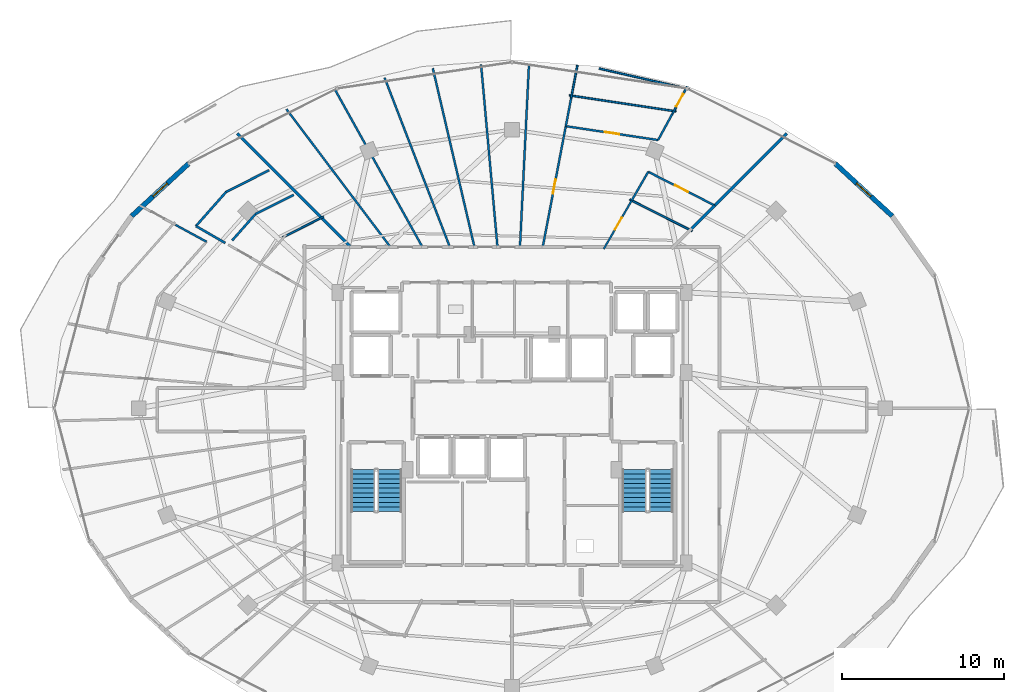
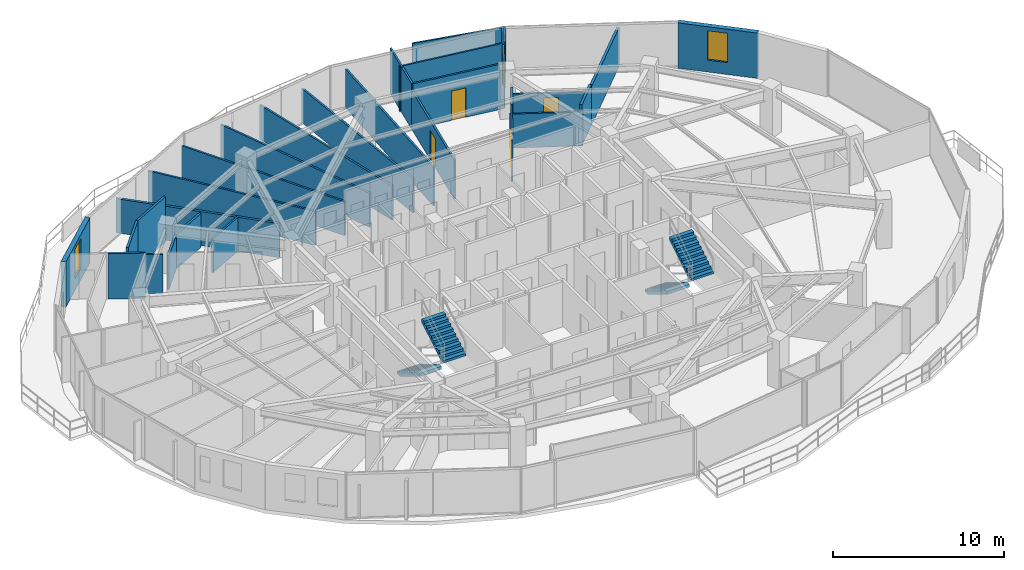
# One storey, part 29 of 33: 30 walls, 5 doors, 4 stair flights, 2 windows, 7 openings, 2 elements without a shape of their own.
"""IFC4 building model written with IfcOpenShell, lengths in metres."""

from ifc_helpers import new_model, si_unit, direction, frame, frame_2d, origin, place, context, subcontext, project, spatial, polyline, rectangle, outline, extrude, material, layer, layer_set, type_object, element, fill, aggregate, save


model = new_model("IFC4")

# Units and contexts
model_context = context("Model", 3, precision=1e-05, world=origin(), true_north=direction((0.0, 1.0)))
body_context = subcontext(model_context, "Body", "Model", "MODEL_VIEW")
ifc_project = project(units=[si_unit("LENGTHUNIT", "METRE"), si_unit("AREAUNIT", "SQUARE_METRE"), si_unit("VOLUMEUNIT", "CUBIC_METRE"), si_unit("PLANEANGLEUNIT", "RADIAN"), si_unit("MASSUNIT", "GRAM", prefix="KILO")], contexts=[model_context])

# Site, building, storey
site_placement = place(None, origin())
site = spatial("IfcSite", under=ifc_project, at=site_placement, CompositionType="ELEMENT")
building_placement = place(site_placement, origin())
building = spatial("IfcBuilding", under=site, at=building_placement, Name="Vorneva Point Tower", CompositionType="ELEMENT")
storey_placement = place(building_placement, frame((0.0, 0.0, 189.60009765625)))
storey = spatial("IfcBuildingStorey", under=building, at=storey_placement, Name="L51", CompositionType="ELEMENT", Elevation=189.60009765625)

# Wall, opening, window
ifc_material_1 = material(Name="Precast concrete B50 (C40/50)", Category="concrete")
ifc_layer_1 = layer(ifc_material_1, 0.300048828125)
ifc_layer_set_1 = layer_set([ifc_layer_1], Name="Precast concrete B50 (C40/50)")
wall_type_1 = type_object("IfcWallType", Name="WL-EXT-300", PredefinedType="STANDARD", material=ifc_layer_set_1)
wall_1_placement = place(storey_placement, frame((61.472412109375, 37.861328125, 0.0), z_axis=(0.0, 0.0, 1.0), x_axis=(-0.735359993374, 0.677676678177, 0.0)))
wall_1 = element("IfcWall", 1, at=wall_1_placement, inside=storey, type_object=wall_type_1, Name="L51 Pale-Metal Facade Spandrel Wall 02.2", PredefinedType="STANDARD", context=body_context, shape_type="SweptSolid", body=[
    extrude(rectangle(XDim=4.774169921875, YDim=0.300048828125, at=frame_2d((2.38720703125, 0.0))), origin(), (0.0, 0.0, 1.0), 3.239990234375),
])
opening_1_placement = place(wall_1_placement, frame((1.787109375, 0.0, 0.85009765625)))
opening_1 = element("IfcOpeningElement", 2, at=opening_1_placement, cuts=wall_1, Name="Opening W-04", PredefinedType="OPENING", context=body_context, shape_type="SweptSolid", body=[
    extrude(rectangle(XDim=1.199951171875, YDim=2.10009765625, at=frame_2d((0.60009765625, 1.050048828125))), frame((0.0, 0.1650390625, 0.0), z_axis=(0.0, -1.0, 0.0), x_axis=(1.0, 0.0, 0.0)), (0.0, 0.0, 1.0), 0.329833984375),
])
ifc_material_2 = material(Name="Double low-e laminated glass IGU", Category="glass")
window_type = type_object("IfcWindowType", Name="WN-RES-1200", PartitioningType="SINGLE_PANEL", PredefinedType="WINDOW", material=ifc_material_2)
window_1_placement = place(opening_1_placement, origin())
window_1 = element("IfcWindow", 3, at=window_1_placement, inside=storey, type_object=window_type, Name="L51 Facade Window 02", OverallHeight=2.10009765625, OverallWidth=1.199951171875, PartitioningType="SINGLE_PANEL", PredefinedType="WINDOW", context=body_context, shape_type="SweptSolid", body=[
    extrude(rectangle(XDim=1.199951171875, YDim=2.10009765625, at=frame_2d((0.60009765625, 1.050048828125))), frame((0.0, 0.030029296875, 0.0), z_axis=(0.0, -1.0, 0.0), x_axis=(1.0, 0.0, 0.0)), (0.0, 0.0, 1.0), 0.06005859375),
])
fill(opening_1, window_1)

wall_2_placement = place(storey_placement, frame((18.038330078125, 41.0966796875, 0.0), z_axis=(0.0, 0.0, 1.0), x_axis=(-0.735359993374, -0.677676678177, 0.0)))
wall_2 = element("IfcWall", 4, at=wall_2_placement, inside=storey, type_object=wall_type_1, Name="L51 Pale-Metal Facade Spandrel Wall 07.1", PredefinedType="STANDARD", context=body_context, shape_type="SweptSolid", body=[
    extrude(rectangle(XDim=4.774169921875, YDim=0.300048828125, at=frame_2d((2.38720703125, 0.0))), origin(), (0.0, 0.0, 1.0), 3.239990234375),
])
opening_2_placement = place(wall_2_placement, frame((1.787109375, 0.0, 0.85009765625)))
opening_2 = element("IfcOpeningElement", 5, at=opening_2_placement, cuts=wall_2, Name="Opening W-04", PredefinedType="OPENING", context=body_context, shape_type="SweptSolid", body=[
    extrude(rectangle(XDim=1.199951171875, YDim=2.10009765625, at=frame_2d((0.60009765625, 1.050048828125))), frame((0.0, 0.1650390625, 0.0), z_axis=(0.0, -1.0, 0.0), x_axis=(1.0, 0.0, 0.0)), (0.0, 0.0, 1.0), 0.329833984375),
])
window_2_placement = place(opening_2_placement, origin())
window_2 = element("IfcWindow", 6, at=window_2_placement, inside=storey, type_object=window_type, Name="L51 Facade Window 07", OverallHeight=2.10009765625, OverallWidth=1.199951171875, PartitioningType="SINGLE_PANEL", PredefinedType="WINDOW", context=body_context, shape_type="SweptSolid", body=[
    extrude(rectangle(XDim=1.199951171875, YDim=2.10009765625, at=frame_2d((0.60009765625, 1.050048828125))), frame((0.0, 0.030029296875, 0.0), z_axis=(0.0, -1.0, 0.0), x_axis=(1.0, 0.0, 0.0)), (0.0, 0.0, 1.0), 0.06005859375),
])
fill(opening_2, window_2)

# Wall, opening, door
ifc_material_3 = material(Name="Fire-rated acoustic gypsum stud partition", Category="gypsum")
ifc_layer_2 = layer(ifc_material_3, 0.110107421875)
ifc_layer_set_2 = layer_set([ifc_layer_2], Name="Fire-rated acoustic gypsum stud partition")
wall_type_2 = type_object("IfcWallType", Name="WL-PART-110", PredefinedType="PARTITIONING", material=ifc_layer_set_2)
wall_3_placement = place(storey_placement, frame((43.6640625, 35.82861328125, 0.0), z_axis=(0.0, 0.0, 1.0), x_axis=(0.49917767271, 0.866499654396, 0.0)))
wall_3 = element("IfcWall", 7, at=wall_3_placement, inside=storey, type_object=wall_type_2, Name="L51 Interior Partition 074", PredefinedType="PARTITIONING", context=body_context, shape_type="SweptSolid", body=[
    extrude(rectangle(XDim=3.595703125, YDim=0.110107421875, at=frame_2d((1.7978515625, 0.0))), origin(), (0.0, 0.0, 1.0), 2.971923828125),
])
opening_3_placement = place(wall_3_placement, frame((1.372802734375, 0.0, 0.0)))
opening_3 = element("IfcOpeningElement", 8, at=opening_3_placement, cuts=wall_3, Name="Opening ID-02", PredefinedType="OPENING", context=body_context, shape_type="SweptSolid", body=[
    extrude(rectangle(XDim=0.85009765625, YDim=2.10009765625, at=frame_2d((0.425048828125, 1.050048828125))), frame((0.0, 0.06982421875, 0.0), z_axis=(0.0, -1.0, 0.0), x_axis=(1.0, 0.0, 0.0)), (0.0, 0.0, 1.0), 0.139892578125),
])
ifc_material_4 = material(Name="Engineered oak fire-rated door leaf", Category="wood")
door_type_1 = type_object("IfcDoorType", Name="DR-BATH-850", OperationType="NOTDEFINED", PredefinedType="DOOR", material=ifc_material_4)
door_1_placement = place(opening_3_placement, origin())
door_1 = element("IfcDoor", 9, at=door_1_placement, inside=storey, type_object=door_type_1, Name="L51 Door Living and Dining Room L51-01 / Bathroom L51-01", OperationType="SINGLE_SWING_LEFT", OverallHeight=2.10009765625, OverallWidth=0.85009765625, PredefinedType="DOOR", context=body_context, shape_type="SweptSolid", body=[
    extrude(rectangle(XDim=0.85009765625, YDim=2.10009765625, at=frame_2d((0.425048828125, 1.050048828125))), frame((0.0, 0.02490234375, 0.0), z_axis=(0.0, -1.0, 0.0), x_axis=(1.0, 0.0, 0.0)), (0.0, 0.0, 1.0), 0.050048828125),
])
fill(opening_3, door_1)

# Wall
wall_4_placement = place(storey_placement, frame((48.947509765625, 45.689697265625, 0.0), z_axis=(0.0, 0.0, 1.0), x_axis=(-0.974613198555, 0.223895317508, 0.0)))
element("IfcWall", 10, at=wall_4_placement, inside=storey, type_object=wall_type_2, Name="L51 Interior Partition 075", PredefinedType="PARTITIONING", context=body_context, shape_type="SweptSolid", body=[
    extrude(rectangle(XDim=5.71484375, YDim=0.110107421875, at=frame_2d((2.857421875, 0.0))), origin(), (0.0, 0.0, 1.0), 3.239990234375),
])

# Wall, opening, door
wall_5_placement = place(storey_placement, frame((48.819091796875, 45.85693359375, 0.0), z_axis=(0.0, 0.0, 1.0), x_axis=(-0.478311376557, -0.878190313689, 0.0)))
wall_5 = element("IfcWall", 11, at=wall_5_placement, inside=storey, type_object=wall_type_2, Name="L51 Interior Partition 076", PredefinedType="PARTITIONING", context=body_context, shape_type="SweptSolid", body=[
    extrude(rectangle(XDim=1.929931640625, YDim=0.110107421875, at=frame_2d((0.96484375, 0.0))), origin(), (0.0, 0.0, 1.0), 3.239990234375),
])
opening_4_placement = place(wall_5_placement, frame((0.514892578125, 0.0, 0.0)))
opening_4 = element("IfcOpeningElement", 12, at=opening_4_placement, cuts=wall_5, Name="Opening ID-01", PredefinedType="OPENING", context=body_context, shape_type="SweptSolid", body=[
    extrude(rectangle(XDim=0.89990234375, YDim=2.10009765625, at=frame_2d((0.449951171875, 1.050048828125))), frame((0.0, 0.06982421875, 0.0), z_axis=(0.0, -1.0, 0.0), x_axis=(1.0, 0.0, 0.0)), (0.0, 0.0, 1.0), 0.139892578125),
])
door_type_2 = type_object("IfcDoorType", Name="DR-ROOM-900", OperationType="NOTDEFINED", PredefinedType="DOOR", material=ifc_material_4)
door_2_placement = place(opening_4_placement, origin())
door_2 = element("IfcDoor", 13, at=door_2_placement, inside=storey, type_object=door_type_2, Name="L51 Door Living and Dining Room L51-01 / Kitchen L51-01", OperationType="SINGLE_SWING_LEFT", OverallHeight=2.10009765625, OverallWidth=0.89990234375, PredefinedType="DOOR", context=body_context, shape_type="SweptSolid", body=[
    extrude(rectangle(XDim=0.89990234375, YDim=2.10009765625, at=frame_2d((0.449951171875, 1.050048828125))), frame((0.0, 0.02490234375, 0.0), z_axis=(0.0, -1.0, 0.0), x_axis=(1.0, 0.0, 0.0)), (0.0, 0.0, 1.0), 0.050048828125),
])
fill(opening_4, door_2)

# Walls
wall_6_placement = place(storey_placement, frame((45.263916015625, 38.885986328125, 0.0), z_axis=(0.0, 0.0, 1.0), x_axis=(0.892556527512, -0.450935522216, 0.0)))
element("IfcWall", 14, at=wall_6_placement, inside=storey, type_object=wall_type_2, Name="L51 Interior Partition 082", PredefinedType="PARTITIONING", context=body_context, shape_type="SweptSolid", body=[
    extrude(rectangle(XDim=4.32470703125, YDim=0.110107421875, at=frame_2d((2.162353515625, 0.0))), origin(), (0.0, 0.0, 1.0), 2.431884765625),
])
wall_7_placement = place(storey_placement, frame((41.54052734375, 45.311767578125, 0.0), z_axis=(0.0, 0.0, 1.0), x_axis=(0.988873931206, -0.148756002172, 0.0)))
element("IfcWall", 15, at=wall_7_placement, inside=storey, type_object=wall_type_2, Name="L51 Interior Partition 085", PredefinedType="PARTITIONING", context=body_context, shape_type="SweptSolid", body=[
    extrude(rectangle(XDim=6.6650390625, YDim=0.110107421875, at=frame_2d((3.33251953125, 0.0))), origin(), (0.0, 0.0, 1.0), 3.239990234375),
])
wall_8_placement = place(storey_placement, frame((42.041259765625, 47.1875, 0.0), z_axis=(0.0, 0.0, 1.0), x_axis=(-0.187605166264, -0.982244522301, 0.0)))
element("IfcWall", 16, at=wall_8_placement, inside=storey, type_object=wall_type_2, Name="L51 Interior Partition 086", PredefinedType="PARTITIONING", context=body_context, shape_type="SweptSolid", body=[
    extrude(rectangle(XDim=2.070556640625, YDim=0.110107421875, at=frame_2d((1.03515625, 0.0))), origin(), (0.0, 0.0, 1.0), 3.239990234375),
])
wall_9_placement = place(storey_placement, frame((23.845947265625, 36.5458984375, 0.0), z_axis=(0.0, 0.0, 1.0), x_axis=(0.892553076465, 0.450942352959, 0.0)))
element("IfcWall", 17, at=wall_9_placement, inside=storey, type_object=wall_type_2, Name="L51 Interior Partition 104", PredefinedType="PARTITIONING", context=body_context, shape_type="SweptSolid", body=[
    extrude(rectangle(XDim=2.82568359375, YDim=0.110107421875, at=frame_2d((1.412841796875, 0.0))), origin(), (0.0, 0.0, 1.0), 2.431884765625),
])

# Wall, opening, door
ifc_layer_3 = layer(ifc_material_3, 0.125)
ifc_layer_set_3 = layer_set([ifc_layer_3], Name="Fire-rated acoustic gypsum stud partition")
wall_type_3 = type_object("IfcWallType", Name="WL-PART-125", PredefinedType="PARTITIONING", material=ifc_layer_set_3)
wall_10_placement = place(storey_placement, frame((46.407958984375, 40.592041015625, 0.0), z_axis=(0.0, 0.0, 1.0), x_axis=(0.89252026196, -0.451007297049, 0.0)))
wall_10 = element("IfcWall", 18, at=wall_10_placement, inside=storey, type_object=wall_type_3, Name="L51 Interior Partition 072", PredefinedType="PARTITIONING", context=body_context, shape_type="SweptSolid", body=[
    extrude(rectangle(XDim=4.602783203125, YDim=0.125, at=frame_2d((2.30126953125, 0.0))), origin(), (0.0, 0.0, 1.0), 2.431884765625),
])
opening_5_placement = place(wall_10_placement, frame((1.851318359375, 0.0, 0.0)))
opening_5 = element("IfcOpeningElement", 19, at=opening_5_placement, cuts=wall_10, Name="Opening ID-01", PredefinedType="OPENING", context=body_context, shape_type="SweptSolid", body=[
    extrude(rectangle(XDim=0.89990234375, YDim=2.10009765625, at=frame_2d((0.449951171875, 1.050048828125))), frame((0.0, 0.077392578125, 0.0), z_axis=(0.0, -1.0, 0.0), x_axis=(1.0, 0.0, 0.0)), (0.0, 0.0, 1.0), 0.15478515625),
])
door_3_placement = place(opening_5_placement, origin())
door_3 = element("IfcDoor", 20, at=door_3_placement, inside=storey, type_object=door_type_2, Name="L51 Door Living and Dining Room L51-01 / Family Dining Room L51-01", OperationType="SINGLE_SWING_RIGHT", OverallHeight=2.10009765625, OverallWidth=0.89990234375, PredefinedType="DOOR", context=body_context, shape_type="SweptSolid", body=[
    extrude(rectangle(XDim=0.89990234375, YDim=2.10009765625, at=frame_2d((0.449951171875, 1.050048828125))), frame((0.0, 0.02490234375, 0.0), z_axis=(0.0, -1.0, 0.0), x_axis=(1.0, 0.0, 0.0)), (0.0, 0.0, 1.0), 0.050048828125),
])
fill(opening_5, door_3)

# Walls
wall_11_placement = place(storey_placement, frame((45.388916015625, 38.822998046875, 0.0), z_axis=(0.0, 0.0, 1.0), x_axis=(0.499149502221, 0.866515882389, 0.0)))
element("IfcWall", 21, at=wall_11_placement, inside=storey, type_object=wall_type_3, Name="L51 Interior Partition 073", PredefinedType="PARTITIONING", context=body_context, shape_type="SweptSolid", body=[
    extrude(rectangle(XDim=2.04150390625, YDim=0.125, at=frame_2d((1.020751953125, 0.0))), origin(), (0.0, 0.0, 1.0), 2.921875),
])
wall_12_placement = place(storey_placement, frame((47.895751953125, 44.162109375, 0.0), z_axis=(0.0, 0.0, 1.0), x_axis=(-0.47839521225, -0.87814464691, 0.0)))
element("IfcWall", 22, at=wall_12_placement, inside=storey, type_object=wall_type_3, Name="L51 Interior Partition 077", PredefinedType="PARTITIONING", context=body_context, shape_type="SweptSolid", body=[
    extrude(rectangle(XDim=1.834716796875, YDim=0.125, at=frame_2d((0.91748046875, 0.0))), origin(), (0.0, 0.0, 1.0), 3.239990234375),
])

# Wall, opening, door
wall_13_placement = place(storey_placement, frame((47.01806640625, 42.551025390625, 0.0), z_axis=(0.0, 0.0, 1.0), x_axis=(-0.98887565722, 0.148744527827, 0.0)))
wall_13 = element("IfcWall", 23, at=wall_13_placement, inside=storey, type_object=wall_type_3, Name="L51 Interior Partition 078", PredefinedType="PARTITIONING", context=body_context, shape_type="SweptSolid", body=[
    extrude(rectangle(XDim=5.76123046875, YDim=0.125, at=frame_2d((2.880615234375, 0.0))), origin(), (0.0, 0.0, 1.0), 3.239990234375),
])
opening_6_placement = place(wall_13_placement, frame((2.430419921875, 0.0, 0.0)))
opening_6 = element("IfcOpeningElement", 24, at=opening_6_placement, cuts=wall_13, Name="Opening ID-01", PredefinedType="OPENING", context=body_context, shape_type="SweptSolid", body=[
    extrude(rectangle(XDim=0.89990234375, YDim=2.10009765625, at=frame_2d((0.449951171875, 1.050048828125))), frame((0.0, 0.077392578125, 0.0), z_axis=(0.0, -1.0, 0.0), x_axis=(1.0, 0.0, 0.0)), (0.0, 0.0, 1.0), 0.15478515625),
])
door_4_placement = place(opening_6_placement, origin())
door_4 = element("IfcDoor", 25, at=door_4_placement, inside=storey, type_object=door_type_2, Name="L51 Door Living and Dining Room L51-01 / Study Room L51-01", OperationType="SINGLE_SWING_RIGHT", OverallHeight=2.10009765625, OverallWidth=0.89990234375, PredefinedType="DOOR", context=body_context, shape_type="SweptSolid", body=[
    extrude(rectangle(XDim=0.89990234375, YDim=2.10009765625, at=frame_2d((0.449951171875, 1.050048828125))), frame((0.0, 0.02490234375, 0.0), z_axis=(0.0, -1.0, 0.0), x_axis=(1.0, 0.0, 0.0)), (0.0, 0.0, 1.0), 0.050048828125),
])
fill(opening_6, door_4)

# Wall
wall_14_placement = place(storey_placement, frame((41.321044921875, 43.407958984375, 0.0), z_axis=(0.0, 0.0, 1.0), x_axis=(0.187217449549, 0.982318495491, 0.0)))
element("IfcWall", 26, at=wall_14_placement, inside=storey, type_object=wall_type_3, Name="L51 Interior Partition 079", PredefinedType="PARTITIONING", context=body_context, shape_type="SweptSolid", body=[
    extrude(rectangle(XDim=1.9169921875, YDim=0.125, at=frame_2d((0.95849609375, 0.0))), origin(), (0.0, 0.0, 1.0), 3.239990234375),
])

# Wall, opening, door
wall_15_placement = place(storey_placement, frame((41.32080078125, 43.407958984375, 0.0), z_axis=(0.0, 0.0, 1.0), x_axis=(-0.187401709503, -0.982283359971, 0.0)))
wall_15 = element("IfcWall", 27, at=wall_15_placement, inside=storey, type_object=wall_type_3, Name="L51 Interior Partition 080", PredefinedType="PARTITIONING", context=body_context, shape_type="SweptSolid", body=[
    extrude(rectangle(XDim=7.592529296875, YDim=0.125, at=frame_2d((3.79638671875, 0.0))), origin(), (0.0, 0.0, 1.0), 2.77392578125),
])
opening_7_placement = place(wall_15_placement, frame((3.34619140625, 0.0, 0.0)))
opening_7 = element("IfcOpeningElement", 28, at=opening_7_placement, cuts=wall_15, Name="Opening ID-01", PredefinedType="OPENING", context=body_context, shape_type="SweptSolid", body=[
    extrude(rectangle(XDim=0.89990234375, YDim=2.10009765625, at=frame_2d((0.449951171875, 1.050048828125))), frame((0.0, 0.077392578125, 0.0), z_axis=(0.0, -1.0, 0.0), x_axis=(1.0, 0.0, 0.0)), (0.0, 0.0, 1.0), 0.15478515625),
])
door_5_placement = place(opening_7_placement, origin())
door_5 = element("IfcDoor", 29, at=door_5_placement, inside=storey, type_object=door_type_2, Name="L51 Door Living and Dining Room L51-01 / Master Bedroom L51-01.1", OperationType="SINGLE_SWING_LEFT", OverallHeight=2.10009765625, OverallWidth=0.89990234375, PredefinedType="DOOR", context=body_context, shape_type="SweptSolid", body=[
    extrude(rectangle(XDim=0.89990234375, YDim=2.10009765625, at=frame_2d((0.449951171875, 1.050048828125))), frame((0.0, 0.02490234375, 0.0), z_axis=(0.0, -1.0, 0.0), x_axis=(1.0, 0.0, 0.0)), (0.0, 0.0, 1.0), 0.050048828125),
])
fill(opening_7, door_5)

# Walls
wall_16_placement = place(storey_placement, frame((39.051025390625, 47.27099609375, 0.0), z_axis=(0.0, 0.0, 1.0), x_axis=(-0.049324203907, -0.998782820692, 0.0)))
element("IfcWall", 30, at=wall_16_placement, inside=storey, type_object=wall_type_3, Name="L51 Interior Partition 087", PredefinedType="PARTITIONING", context=body_context, shape_type="SweptSolid", body=[
    extrude(rectangle(XDim=11.3349609375, YDim=0.125, at=frame_2d((5.66748046875, 0.0))), origin(), (0.0, 0.0, 1.0), 2.77392578125),
])
wall_17_placement = place(storey_placement, frame((36.091064453125, 47.20703125, 0.0), z_axis=(0.0, 0.0, 1.0), x_axis=(0.089620343685, -0.995976000714, 0.0)))
element("IfcWall", 31, at=wall_17_placement, inside=storey, type_object=wall_type_3, Name="L51 Interior Partition 088", PredefinedType="PARTITIONING", context=body_context, shape_type="SweptSolid", body=[
    extrude(rectangle(XDim=11.302490234375, YDim=0.125, at=frame_2d((5.6513671875, 0.0))), origin(), (0.0, 0.0, 1.0), 2.431884765625),
])
wall_18_placement = place(storey_placement, frame((33.111083984375, 46.985107421875, 0.0), z_axis=(0.0, 0.0, 1.0), x_axis=(0.226889028745, -0.973920617214, 0.0)))
element("IfcWall", 32, at=wall_18_placement, inside=storey, type_object=wall_type_3, Name="L51 Interior Partition 089", PredefinedType="PARTITIONING", context=body_context, shape_type="SweptSolid", body=[
    extrude(rectangle(XDim=11.33056640625, YDim=0.125, at=frame_2d((5.665283203125, 0.0))), origin(), (0.0, 0.0, 1.0), 2.431884765625),
])
wall_19_placement = place(storey_placement, frame((30.135009765625, 46.39794921875, 0.0), z_axis=(0.0, 0.0, 1.0), x_axis=(0.359727007777, -0.933057597298, 0.0)))
element("IfcWall", 33, at=wall_19_placement, inside=storey, type_object=wall_type_3, Name="L51 Interior Partition 090", PredefinedType="PARTITIONING", context=body_context, shape_type="SweptSolid", body=[
    extrude(rectangle(XDim=11.197509765625, YDim=0.125, at=frame_2d((5.5986328125, 0.0))), origin(), (0.0, 0.0, 1.0), 2.431884765625),
])
wall_20_placement = place(storey_placement, frame((27.069091796875, 45.673095703125, 0.0), z_axis=(0.0, 0.0, 1.0), x_axis=(0.485717471054, -0.874115860921, 0.0)))
element("IfcWall", 34, at=wall_20_placement, inside=storey, type_object=wall_type_3, Name="L51 Interior Partition 091", PredefinedType="PARTITIONING", context=body_context, shape_type="SweptSolid", body=[
    extrude(rectangle(XDim=11.123291015625, YDim=0.125, at=frame_2d((5.5615234375, 0.0))), origin(), (0.0, 0.0, 1.0), 2.431884765625),
])
wall_21_placement = place(storey_placement, frame((24.074951171875, 44.4599609375, 0.0), z_axis=(0.0, 0.0, 1.0), x_axis=(0.602185523072, -0.798356183544, 0.0)))
element("IfcWall", 35, at=wall_21_placement, inside=storey, type_object=wall_type_3, Name="L51 Interior Partition 092", PredefinedType="PARTITIONING", context=body_context, shape_type="SweptSolid", body=[
    extrude(rectangle(XDim=10.659423828125, YDim=0.125, at=frame_2d((5.32958984375, 0.0))), origin(), (0.0, 0.0, 1.0), 2.431884765625),
])
wall_22_placement = place(storey_placement, frame((17.22900390625, 37.31689453125, 0.0), z_axis=(0.0, 0.0, 1.0), x_axis=(0.878117834212, -0.47844442649, 0.0)))
element("IfcWall", 36, at=wall_22_placement, inside=storey, type_object=wall_type_3, Name="L51 Interior Partition 098", PredefinedType="PARTITIONING", context=body_context, shape_type="SweptSolid", body=[
    extrude(rectangle(XDim=2.181884765625, YDim=0.125, at=frame_2d((1.0908203125, 0.0))), origin(), (0.0, 0.0, 1.0), 3.239990234375),
])
ifc_layer_4 = layer(ifc_material_3, 0.139892578125)
ifc_layer_set_4 = layer_set([ifc_layer_4], Name="Fire-rated acoustic gypsum stud partition")
wall_type_4 = type_object("IfcWallType", Name="WL-PART-140", PredefinedType="PARTITIONING", material=ifc_layer_set_4)
wall_23_placement = place(storey_placement, frame((18.489990234375, 37.241943359375, 0.0), z_axis=(0.0, 0.0, 1.0), x_axis=(0.662371376331, 0.749175653513, 0.0)))
element("IfcWall", 37, at=wall_23_placement, inside=storey, type_object=wall_type_4, Name="L51 Interior Closure Partition 154", PredefinedType="PARTITIONING", context=body_context, shape_type="SweptSolid", body=[
    extrude(rectangle(XDim=2.809814453125, YDim=0.139892578125, at=frame_2d((1.40478515625, 0.0))), origin(), (0.0, 0.0, 1.0), 3.239990234375),
])
wall_24_placement = place(storey_placement, frame((20.35107421875, 39.346923828125, 0.0), z_axis=(0.0, 0.0, 1.0), x_axis=(0.89244587056, 0.451154483653, 0.0)))
element("IfcWall", 38, at=wall_24_placement, inside=storey, type_object=wall_type_4, Name="L51 Interior Closure Partition 155", PredefinedType="PARTITIONING", context=body_context, shape_type="SweptSolid", body=[
    extrude(rectangle(XDim=2.970458984375, YDim=0.139892578125, at=frame_2d((1.4853515625, 0.0))), origin(), (0.0, 0.0, 1.0), 3.239990234375),
])
wall_25_placement = place(storey_placement, frame((20.300048828125, 36.198974609375, 0.0), z_axis=(0.0, 0.0, 1.0), x_axis=(-0.86645395742, 0.499256987604, 0.0)))
element("IfcWall", 39, at=wall_25_placement, inside=storey, type_object=wall_type_4, Name="L51 Interior Closure Partition 156", PredefinedType="PARTITIONING", context=body_context, shape_type="SweptSolid", body=[
    extrude(rectangle(XDim=2.089111328125, YDim=0.139892578125, at=frame_2d((1.04443359375, 0.0))), origin(), (0.0, 0.0, 1.0), 2.77392578125),
])
wall_26_placement = place(storey_placement, frame((24.51904296875, 39.169921875, 0.0), z_axis=(0.0, 0.0, 1.0), x_axis=(-0.89247840077, -0.451090128643, 0.0)))
element("IfcWall", 40, at=wall_26_placement, inside=storey, type_object=wall_type_4, Name="L51 Interior Closure Partition 157", PredefinedType="PARTITIONING", context=body_context, shape_type="SweptSolid", body=[
    extrude(rectangle(XDim=2.642333984375, YDim=0.139892578125, at=frame_2d((1.3212890625, 0.0))), origin(), (0.0, 0.0, 1.0), 2.431884765625),
])
wall_27_placement = place(storey_placement, frame((22.160888671875, 37.97802734375, 0.0), z_axis=(0.0, 0.0, 1.0), x_axis=(-0.662476802918, -0.749082429106, 0.0)))
element("IfcWall", 41, at=wall_27_placement, inside=storey, type_object=wall_type_4, Name="L51 Interior Closure Partition 158", PredefinedType="PARTITIONING", context=body_context, shape_type="SweptSolid", body=[
    extrude(rectangle(XDim=2.170654296875, YDim=0.139892578125, at=frame_2d((1.08544921875, 0.0))), origin(), (0.0, 0.0, 1.0), 2.431884765625),
])
ifc_layer_5 = layer(ifc_material_3, 0.159912109375)
ifc_layer_set_5 = layer_set([ifc_layer_5], Name="Fire-rated acoustic gypsum stud partition")
wall_type_5 = type_object("IfcWallType", Name="WL-PART-160", PredefinedType="PARTITIONING", material=ifc_layer_set_5)
wall_28_placement = place(storey_placement, frame((50.51611328125, 38.51611328125, 0.0), z_axis=(0.0, 0.0, 1.0), x_axis=(0.707106781187, 0.707106781187, 0.0)))
element("IfcWall", 42, at=wall_28_placement, inside=storey, type_object=wall_type_5, Name="L51 Interior Partition 081", PredefinedType="PARTITIONING", context=body_context, shape_type="SweptSolid", body=[
    extrude(rectangle(XDim=6.283203125, YDim=0.159912109375, at=frame_2d((3.1416015625, 0.0))), origin(), (0.0, 0.0, 1.0), 2.77392578125),
])
wall_29_placement = place(storey_placement, frame((48.9990234375, 36.9990234375, 0.0), z_axis=(0.0, 0.0, 1.0), x_axis=(0.707106781187, 0.707106781187, 0.0)))
element("IfcWall", 43, at=wall_29_placement, inside=storey, type_object=wall_type_5, Name="L51 Interior Partition 083", PredefinedType="PARTITIONING", context=body_context, shape_type="SweptSolid", body=[
    extrude(rectangle(XDim=2.1455078125, YDim=0.159912109375, at=frame_2d((1.07275390625, 0.0))), origin(), (0.0, 0.0, 1.0), 2.921875),
])
wall_30_placement = place(storey_placement, frame((21.041015625, 42.958984375, 0.0), z_axis=(0.0, 0.0, 1.0), x_axis=(0.707106781187, -0.707106781187, 0.0)))
element("IfcWall", 44, at=wall_30_placement, inside=storey, type_object=wall_type_5, Name="L51 Interior Partition 093", PredefinedType="PARTITIONING", context=body_context, shape_type="SweptSolid", body=[
    extrude(rectangle(XDim=9.912353515625, YDim=0.159912109375, at=frame_2d((4.9560546875, 0.0))), origin(), (0.0, 0.0, 1.0), 2.431884765625),
])

# Stair, stair flights
ifc_material_5 = material(Name="Concrete B50 (C40/50)", Category="concrete")
stair_type = type_object("IfcStairType", Name="ST-DOG-1500", PredefinedType="HALF_TURN_STAIR", material=ifc_material_5)
stair_1_placement = place(storey_placement, origin())
stair_1 = element("IfcStair", 45, at=stair_1_placement, inside=storey, type_object=stair_type, Name="L51 ST1", PredefinedType="HALF_TURN_STAIR")
stair_flight_type = type_object("IfcStairFlightType", Name="STF-1500", PredefinedType="STRAIGHT", material=ifc_material_5)
stair_flight_1_placement = place(storey_placement, frame((28.800048828125, 22.219970703125, 0.0), z_axis=(0.0, 0.0, 1.0), x_axis=(0.0, -1.0, 0.0)))
stair_flight_1 = element("IfcStairFlight", 46, at=stair_flight_1_placement, type_object=stair_flight_type, Name="ST1 flight 1", NumberOfRisers=10, NumberOfTreads=9, PredefinedType="STRAIGHT", RiserHeight=0.175, TreadLength=0.29, context=body_context, shape_type="SweptSolid", body=[
    extrude(outline(polyline([(0.0, 0.0), (0.0, 0.175048828125), (0.2900390625, 0.175048828125), (0.2900390625, 0.35009765625), (0.580078125, 0.35009765625), (0.580078125, 0.52490234375), (0.8701171875, 0.52490234375), (0.8701171875, 0.699951171875), (1.159912109375, 0.699951171875), (1.159912109375, 0.875), (1.449951171875, 0.875), (1.449951171875, 1.050048828125), (1.739990234375, 1.050048828125), (1.739990234375, 1.22509765625), (2.030029296875, 1.22509765625), (2.030029296875, 1.39990234375), (2.320068359375, 1.39990234375), (2.320068359375, 1.574951171875), (2.610107421875, 1.574951171875), (2.610107421875, 1.75), (2.610107421875, 1.36474609375), (0.34814453125, 0.0), (0.0, 0.0)])), frame((0.0, 0.75, 0.0), z_axis=(0.0, -1.0, 0.0), x_axis=(1.0, 0.0, 0.0)), (0.0, 0.0, 1.0), 1.5),
])
stair_flight_2_placement = place(storey_placement, frame((30.449951171875, 19.610107421875, 1.75), z_axis=(0.0, 0.0, 1.0), x_axis=(0.0, 1.0, 0.0)))
stair_flight_2 = element("IfcStairFlight", 47, at=stair_flight_2_placement, type_object=stair_flight_type, Name="ST1 flight 2", NumberOfRisers=10, NumberOfTreads=9, PredefinedType="STRAIGHT", RiserHeight=0.175, TreadLength=0.29, context=body_context, shape_type="SweptSolid", body=[
    extrude(outline(polyline([(0.0, 0.0), (0.0, 0.175048828125), (0.2900390625, 0.175048828125), (0.2900390625, 0.35009765625), (0.580078125, 0.35009765625), (0.580078125, 0.52490234375), (0.8701171875, 0.52490234375), (0.8701171875, 0.699951171875), (1.159912109375, 0.699951171875), (1.159912109375, 0.875), (1.449951171875, 0.875), (1.449951171875, 1.050048828125), (1.739990234375, 1.050048828125), (1.739990234375, 1.22509765625), (2.030029296875, 1.22509765625), (2.030029296875, 1.39990234375), (2.320068359375, 1.39990234375), (2.320068359375, 1.574951171875), (2.610107421875, 1.574951171875), (2.610107421875, 1.75), (2.610107421875, 1.36474609375), (0.34814453125, 0.0), (0.0, 0.0)])), frame((0.0, 0.75, 0.0), z_axis=(0.0, -1.0, 0.0), x_axis=(1.0, 0.0, 0.0)), (0.0, 0.0, 1.0), 1.5),
])
aggregate(stair_1, [stair_flight_1, stair_flight_2])

stair_2_placement = place(storey_placement, origin())
stair_2 = element("IfcStair", 48, at=stair_2_placement, inside=storey, type_object=stair_type, Name="L51 ST2", PredefinedType="HALF_TURN_STAIR")
stair_flight_3_placement = place(storey_placement, frame((45.550048828125, 22.219970703125, 0.0), z_axis=(0.0, 0.0, 1.0), x_axis=(0.0, -1.0, 0.0)))
stair_flight_3 = element("IfcStairFlight", 49, at=stair_flight_3_placement, type_object=stair_flight_type, Name="ST2 flight 1", NumberOfRisers=10, NumberOfTreads=9, PredefinedType="STRAIGHT", RiserHeight=0.175, TreadLength=0.29, context=body_context, shape_type="SweptSolid", body=[
    extrude(outline(polyline([(0.0, 0.0), (0.0, 0.175048828125), (0.2900390625, 0.175048828125), (0.2900390625, 0.35009765625), (0.580078125, 0.35009765625), (0.580078125, 0.52490234375), (0.8701171875, 0.52490234375), (0.8701171875, 0.699951171875), (1.159912109375, 0.699951171875), (1.159912109375, 0.875), (1.449951171875, 0.875), (1.449951171875, 1.050048828125), (1.739990234375, 1.050048828125), (1.739990234375, 1.22509765625), (2.030029296875, 1.22509765625), (2.030029296875, 1.39990234375), (2.320068359375, 1.39990234375), (2.320068359375, 1.574951171875), (2.610107421875, 1.574951171875), (2.610107421875, 1.75), (2.610107421875, 1.36474609375), (0.34814453125, 0.0), (0.0, 0.0)])), frame((0.0, 0.75, 0.0), z_axis=(0.0, -1.0, 0.0), x_axis=(1.0, 0.0, 0.0)), (0.0, 0.0, 1.0), 1.5),
])
stair_flight_4_placement = place(storey_placement, frame((47.199951171875, 19.610107421875, 1.75), z_axis=(0.0, 0.0, 1.0), x_axis=(0.0, 1.0, 0.0)))
stair_flight_4 = element("IfcStairFlight", 50, at=stair_flight_4_placement, type_object=stair_flight_type, Name="ST2 flight 2", NumberOfRisers=10, NumberOfTreads=9, PredefinedType="STRAIGHT", RiserHeight=0.175, TreadLength=0.29, context=body_context, shape_type="SweptSolid", body=[
    extrude(outline(polyline([(0.0, 0.0), (0.0, 0.175048828125), (0.2900390625, 0.175048828125), (0.2900390625, 0.35009765625), (0.580078125, 0.35009765625), (0.580078125, 0.52490234375), (0.8701171875, 0.52490234375), (0.8701171875, 0.699951171875), (1.159912109375, 0.699951171875), (1.159912109375, 0.875), (1.449951171875, 0.875), (1.449951171875, 1.050048828125), (1.739990234375, 1.050048828125), (1.739990234375, 1.22509765625), (2.030029296875, 1.22509765625), (2.030029296875, 1.39990234375), (2.320068359375, 1.39990234375), (2.320068359375, 1.574951171875), (2.610107421875, 1.574951171875), (2.610107421875, 1.75), (2.610107421875, 1.36474609375), (0.34814453125, 0.0), (0.0, 0.0)])), frame((0.0, 0.75, 0.0), z_axis=(0.0, -1.0, 0.0), x_axis=(1.0, 0.0, 0.0)), (0.0, 0.0, 1.0), 1.5),
])
aggregate(stair_2, [stair_flight_3, stair_flight_4])

save(model, "model.ifc")
